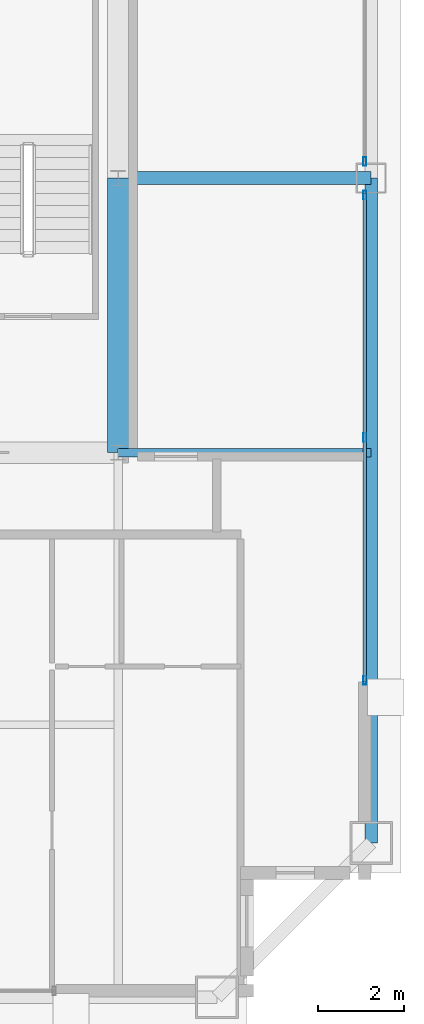
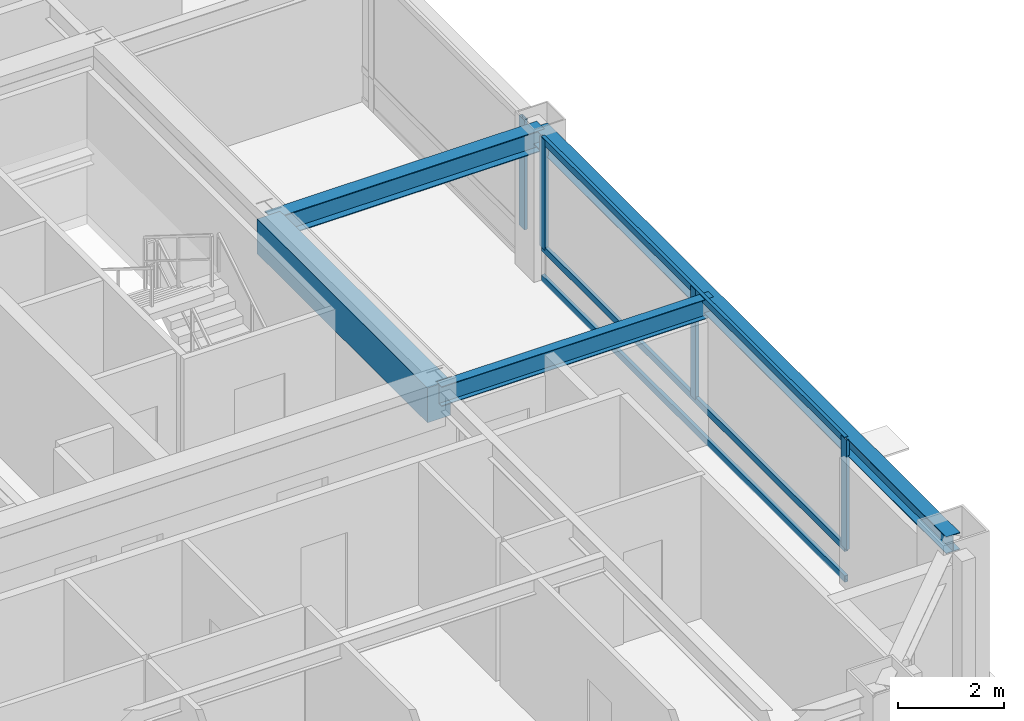
# One storey, part 14 of 35: 7 members, 4 beams, 2 elements without a shape of their own.
"""IFC4 building model written with IfcOpenShell, lengths in metres."""

from ifc_helpers import new_model, si_unit, direction, frame, origin, origin_2d, place, context, subcontext, project, spatial, rectangle, hollow_rectangle, i_section, extrude, source, transform, mapped, material, layer, layer_set, material_profile, profile_set, type_object, element, aggregate, save


model = new_model("IFC4")

# Units and contexts
model_context = context("Model", 3, precision=1e-05, world=origin(), true_north=direction((0.0, 1.0)))
body_context = subcontext(model_context, "Body", "Model", "MODEL_VIEW")
ifc_project = project(units=[si_unit("LENGTHUNIT", "METRE"), si_unit("AREAUNIT", "SQUARE_METRE"), si_unit("VOLUMEUNIT", "CUBIC_METRE"), si_unit("PLANEANGLEUNIT", "RADIAN"), si_unit("MASSUNIT", "GRAM", prefix="KILO"), si_unit("THERMODYNAMICTEMPERATUREUNIT", "KELVIN"), si_unit("POWERUNIT", "WATT")], contexts=[model_context])

# Site, building, storey
site_placement = place(None, origin())
site = spatial("IfcSite", under=ifc_project, at=site_placement, CompositionType="ELEMENT")
building_placement = place(site_placement, origin())
building = spatial("IfcBuilding", under=site, at=building_placement, Name="Yuzanri Waterfront Tower", CompositionType="ELEMENT")
storey_placement = place(building_placement, frame((0.0, 0.0, 296.10009765625)))
storey = spatial("IfcBuildingStorey", under=building, at=storey_placement, Name="L79", CompositionType="ELEMENT", Elevation=296.10009765625)

# Beams
ifc_material_1 = material(Name="Concrete C50", Category="concrete")
ifc_material_profile_1 = material_profile(ifc_material_1, rectangle(XDim=0.5, YDim=0.800048828125, at=origin_2d()), Name="RC 500x800")
ifc_profile_set_1 = profile_set([ifc_material_profile_1], Name="Concrete C50")
beam_type_1 = type_object("IfcBeamType", Name="Core Coupling Lintel Concrete C50 500x800", PredefinedType="LINTEL", material=ifc_profile_set_1)
shared_shape_1 = source(origin(), body_context, "Body", "SweptSolid", [
    extrude(rectangle(XDim=0.5, YDim=0.800048828125, at=origin_2d()), origin(), (0.0, 0.0, 1.0), 6.400146484375),
])
beam_1_placement = place(storey_placement, frame((50.199951171875, 19.39990234375, 2.8798828125), z_axis=(0.0, 1.0, 0.0), x_axis=(-1.0, 0.0, 0.0)))
element("IfcBeam", 1, at=beam_1_placement, inside=storey, type_object=beam_type_1, Name="L79 Core Tie Beam CE1", PredefinedType="LINTEL", context=body_context, shape_type="MappedRepresentation", body=[
    mapped(shared_shape_1, transform((0.0, 0.0, 0.0), scale=1.0)),
])
ifc_material_2 = material(Name="Steel Q355B", Category="steel")
ifc_material_profile_2 = material_profile(ifc_material_2, i_section(OverallWidth=0.300048828125, OverallDepth=0.389892578125, WebThickness=0.010009765625, FlangeThickness=0.01611328125, at=origin_2d()), Name="HM 390x300x10x16")
ifc_profile_set_2 = profile_set([ifc_material_profile_2], Name="Steel Q355B")
beam_type_2 = type_object("IfcBeamType", Name="Perimeter Spandrel Q355B HM 390x300", PredefinedType="SPANDREL", material=ifc_profile_set_2)
shared_shape_2 = source(origin(), body_context, "Body", "SweptSolid", [
    extrude(i_section(OverallWidth=0.300048828125, OverallDepth=0.389892578125, WebThickness=0.010009765625, FlangeThickness=0.01611328125, at=origin_2d()), origin(), (0.0, 0.0, 1.0), 15.5),
])
beam_2_placement = place(storey_placement, frame((56.10009765625, 10.300048828125, 3.0849609375), z_axis=(0.0, 1.0, 0.0), x_axis=(-1.0, 0.0, 0.0)))
element("IfcBeam", 2, at=beam_2_placement, inside=storey, type_object=beam_type_2, Name="L79 Perimeter Spandrel E1-E2", PredefinedType="SPANDREL", context=body_context, shape_type="MappedRepresentation", body=[
    mapped(shared_shape_2, transform((0.0, 0.0, 0.0), scale=1.0)),
])
ifc_material_3 = material(Name="Steel Q355B", Category="steel")
ifc_material_profile_3 = material_profile(ifc_material_3, i_section(OverallWidth=0.300048828125, OverallDepth=0.488037109375, WebThickness=0.010986328125, FlangeThickness=0.01806640625, at=origin_2d()), Name="HM 488x300x11x18")
ifc_profile_set_3 = profile_set([ifc_material_profile_3], Name="Steel Q355B")
beam_type_3 = type_object("IfcBeamType", Name="Primary Floor Girder Q355B HM 488x300", PredefinedType="BEAM", material=ifc_profile_set_3)
shared_shape_3 = source(origin(), body_context, "Body", "SweptSolid", [
    extrude(i_section(OverallWidth=0.300048828125, OverallDepth=0.488037109375, WebThickness=0.010986328125, FlangeThickness=0.01806640625, at=origin_2d()), origin(), (0.0, 0.0, 1.0), 5.900146484375),
])
beam_3_placement = place(storey_placement, frame((50.199951171875, 25.800048828125, 3.035888671875), z_axis=(1.0, 0.0, 0.0), x_axis=(0.0, 1.0, 0.0)))
element("IfcBeam", 3, at=beam_3_placement, inside=storey, type_object=beam_type_3, Name="L79 East Grid Girder", PredefinedType="BEAM", context=body_context, shape_type="MappedRepresentation", body=[
    mapped(shared_shape_3, transform((0.0, 0.0, 0.0), scale=1.0)),
])
ifc_material_4 = material(Name="Steel Q355B", Category="steel")
ifc_material_profile_4 = material_profile(ifc_material_4, i_section(OverallWidth=0.199951171875, OverallDepth=0.449951171875, WebThickness=0.009033203125, FlangeThickness=0.013916015625, at=origin_2d()), Name="HN 450x200x9x14")
ifc_profile_set_4 = profile_set([ifc_material_profile_4], Name="Steel Q355B")
beam_type_4 = type_object("IfcBeamType", Name="Secondary Floor Beam Q355B HN 450x200", PredefinedType="BEAM", material=ifc_profile_set_4)
shared_shape_4 = source(origin(), body_context, "Body", "SweptSolid", [
    extrude(i_section(OverallWidth=0.199951171875, OverallDepth=0.449951171875, WebThickness=0.009033203125, FlangeThickness=0.013916015625, at=origin_2d()), origin(), (0.0, 0.0, 1.0), 5.900146484375),
])
beam_4_placement = place(storey_placement, frame((50.199951171875, 19.39990234375, 3.054931640625), z_axis=(1.0, 0.0, 0.0), x_axis=(0.0, 1.0, 0.0)))
element("IfcBeam", 4, at=beam_4_placement, inside=storey, type_object=beam_type_4, Name="L79 East-South Core Line Beam", PredefinedType="BEAM", context=body_context, shape_type="MappedRepresentation", body=[
    mapped(shared_shape_4, transform((0.0, 0.0, 0.0), scale=1.0)),
])

# Curtain wall, members
ifc_material_5 = material(Name="Anodized Architectural Bronze", Category="metal")
ifc_layer = layer(ifc_material_5, 0.159912109375)
ifc_layer_set = layer_set([ifc_layer], Name="Anodized Architectural Bronze")
curtain_wall_type = type_object("IfcCurtainWallType", Name="Anodized Bronze High-Rise Penthouse High-Wind Unitized Curtain Wall 6900", PredefinedType="NOTDEFINED", material=ifc_layer_set)
curtain_wall_1_placement = place(storey_placement, origin())
curtain_wall_1 = element("IfcCurtainWall", 5, at=curtain_wall_1_placement, inside=storey, type_object=curtain_wall_type, Name="L79 Curtain Wall CW-L79-EL", PredefinedType="NOTDEFINED")
ifc_material_6 = material(Name="Anodized Architectural Bronze", Category="metal")
ifc_material_profile_5 = material_profile(ifc_material_6, hollow_rectangle(XDim=0.074951171875, YDim=0.199951171875, WallThickness=0.00390625, at=origin_2d()), Name="CWM 75x200")
ifc_profile_set_5 = profile_set([ifc_material_profile_5], Name="Anodized Architectural Bronze")
member_type_1 = type_object("IfcMemberType", Name="Anodized Bronze Primary Curtain-Wall Mullion 75x200", PredefinedType="MULLION", material=ifc_profile_set_5)
shared_shape_5 = source(origin(), body_context, "Body", "SweptSolid", [
    extrude(hollow_rectangle(XDim=0.074951171875, YDim=0.199951171875, WallThickness=0.00390625, at=origin_2d()), origin(), (0.0, 0.0, 1.0), 2.52392578125),
])
member_1_placement = place(storey_placement, frame((55.949951171875, 14.090087890625, 0.755859375), z_axis=(0.0, 0.0, 1.0), x_axis=(1.0, 0.0, 0.0)))
member_1 = element("IfcMember", 6, at=member_1_placement, type_object=member_type_1, Name="CW-L79-EL Upper Mullion 00", PredefinedType="MULLION", context=body_context, shape_type="MappedRepresentation", body=[
    mapped(shared_shape_5, transform((0.0, 0.0, 0.0), scale=1.0)),
])
member_2_placement = place(storey_placement, frame((55.949951171875, 19.75, 0.755859375), z_axis=(0.0, 0.0, 1.0), x_axis=(1.0, 0.0, 0.0)))
member_2 = element("IfcMember", 7, at=member_2_placement, type_object=member_type_1, Name="CW-L79-EL Upper Mullion 01", PredefinedType="MULLION", context=body_context, shape_type="MappedRepresentation", body=[
    mapped(shared_shape_5, transform((0.0, 0.0, 0.0), scale=1.0)),
])
member_3_placement = place(storey_placement, frame((55.949951171875, 25.409912109375, 0.755859375), z_axis=(0.0, 0.0, 1.0), x_axis=(1.0, 0.0, 0.0)))
member_3 = element("IfcMember", 8, at=member_3_placement, type_object=member_type_1, Name="CW-L79-EL Upper Mullion 02", PredefinedType="MULLION", context=body_context, shape_type="MappedRepresentation", body=[
    mapped(shared_shape_5, transform((0.0, 0.0, 0.0), scale=1.0)),
])

# Curtain wall, member
curtain_wall_2_placement = place(storey_placement, origin())
curtain_wall_2 = element("IfcCurtainWall", 9, at=curtain_wall_2_placement, inside=storey, type_object=curtain_wall_type, Name="L79 Curtain Wall CW-L79-ER", PredefinedType="NOTDEFINED")
member_4_placement = place(storey_placement, frame((55.949951171875, 26.18994140625, 0.755859375), z_axis=(0.0, 0.0, 1.0), x_axis=(1.0, 0.0, 0.0)))
member_4 = element("IfcMember", 10, at=member_4_placement, type_object=member_type_1, Name="CW-L79-ER Upper Mullion 00", PredefinedType="MULLION", context=body_context, shape_type="MappedRepresentation", body=[
    mapped(shared_shape_5, transform((0.0, 0.0, 0.0), scale=1.0)),
])
aggregate(curtain_wall_2, [member_4])

# Member
ifc_material_7 = material(Name="Anodized Architectural Bronze", Category="metal")
ifc_material_profile_6 = material_profile(ifc_material_7, hollow_rectangle(XDim=0.074951171875, YDim=0.14990234375, WallThickness=0.00390625, at=origin_2d()), Name="CWT 75x150")
ifc_profile_set_6 = profile_set([ifc_material_profile_6], Name="Anodized Architectural Bronze")
member_type_2 = type_object("IfcMemberType", Name="Anodized Bronze Primary Curtain-Wall Transom 75x150", PredefinedType="USERDEFINED", material=ifc_profile_set_6)
shared_shape_6 = source(origin(), body_context, "Body", "SweptSolid", [
    extrude(hollow_rectangle(XDim=0.074951171875, YDim=0.14990234375, WallThickness=0.00390625, at=origin_2d()), origin(), (0.0, 0.0, 1.0), 11.39990234375),
])
member_5_placement = place(storey_placement, frame((55.949951171875, 14.050048828125, 0.0498046875), z_axis=(0.0, 1.0, 0.0), x_axis=(-1.0, 0.0, 0.0)))
member_5 = element("IfcMember", 11, at=member_5_placement, type_object=member_type_2, Name="CW-L79-EL Transom 1", ObjectType="TRANSOM", PredefinedType="USERDEFINED", context=body_context, shape_type="MappedRepresentation", body=[
    mapped(shared_shape_6, transform((0.0, 0.0, 0.0), scale=1.0)),
])

member_6_placement = place(storey_placement, frame((55.949951171875, 14.050048828125, 0.75390625), z_axis=(0.0, 1.0, 0.0), x_axis=(-1.0, 0.0, 0.0)))
member_6 = element("IfcMember", 12, at=member_6_placement, type_object=member_type_2, Name="CW-L79-EL Transom 2", ObjectType="TRANSOM", PredefinedType="USERDEFINED", context=body_context, shape_type="MappedRepresentation", body=[
    mapped(shared_shape_6, transform((0.0, 0.0, 0.0), scale=1.0)),
])

member_7_placement = place(storey_placement, frame((55.949951171875, 14.050048828125, 3.22998046875), z_axis=(0.0, 1.0, 0.0), x_axis=(-1.0, 0.0, 0.0)))
member_7 = element("IfcMember", 13, at=member_7_placement, type_object=member_type_2, Name="CW-L79-EL Transom 3", ObjectType="TRANSOM", PredefinedType="USERDEFINED", context=body_context, shape_type="MappedRepresentation", body=[
    mapped(shared_shape_6, transform((0.0, 0.0, 0.0), scale=1.0)),
])

aggregate(curtain_wall_1, [member_1, member_2, member_3, member_5, member_6, member_7])

save(model, "model.ifc")
